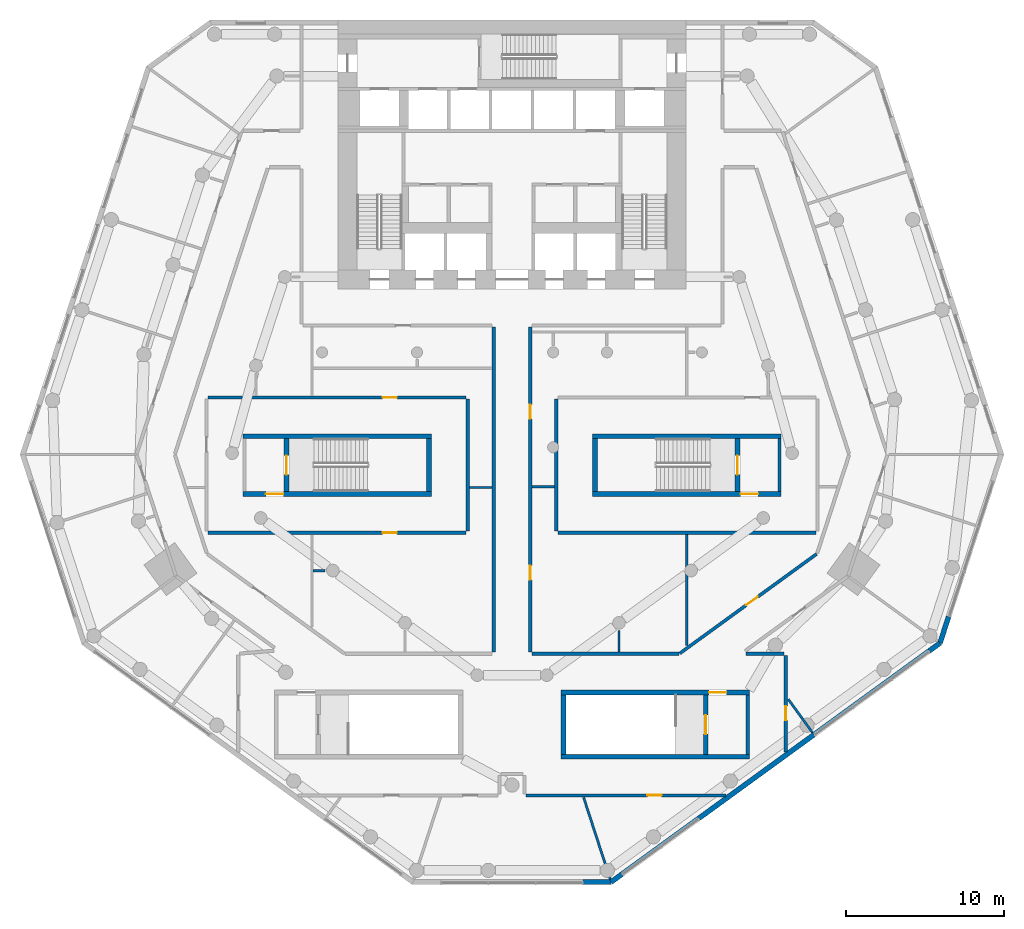
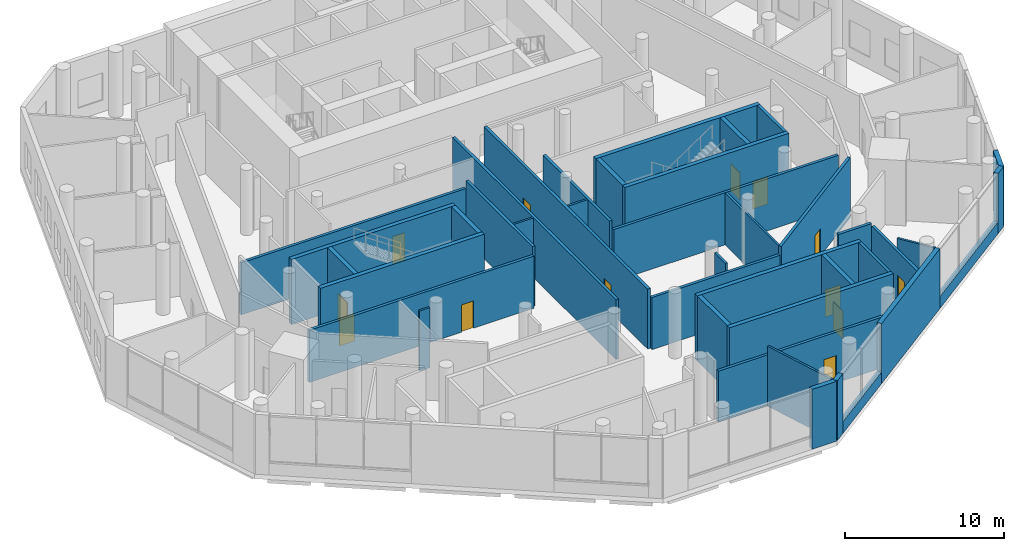
# One storey, part 8 of 15: 40 walls, 13 doors, 13 openings.
"""IFC4 building model written with IfcOpenShell, lengths in metres."""

from ifc_helpers import new_model, si_unit, direction, frame, frame_2d, origin, place, context, subcontext, project, spatial, rectangle, extrude, material, layer, layer_set, type_object, element, fill, save


model = new_model("IFC4")

# Units and contexts
model_context = context("Model", 3, precision=1e-05, world=origin(), true_north=direction((0.0, 1.0)))
body_context = subcontext(model_context, "Body", "Model", "MODEL_VIEW")
ifc_project = project(units=[si_unit("LENGTHUNIT", "METRE"), si_unit("AREAUNIT", "SQUARE_METRE"), si_unit("VOLUMEUNIT", "CUBIC_METRE"), si_unit("PLANEANGLEUNIT", "RADIAN"), si_unit("MASSUNIT", "GRAM", prefix="KILO")], contexts=[model_context])

# Site, building, storey
site_placement = place(None, origin())
site = spatial("IfcSite", under=ifc_project, at=site_placement, CompositionType="ELEMENT")
building_placement = place(site_placement, origin())
building = spatial("IfcBuilding", under=site, at=building_placement, Name="White Candle Pilgrim Tower", CompositionType="ELEMENT")
storey_placement = place(building_placement, frame((0.0, 0.0, 34.0)))
storey = spatial("IfcBuildingStorey", under=building, at=storey_placement, Name="L05", CompositionType="ELEMENT", Elevation=34.0)

# Walls
ifc_material_1 = material(Name="Concrete C70/85", Category="concrete")
ifc_layer_1 = layer(ifc_material_1, 0.199951171875)
ifc_layer_set_1 = layer_set([ifc_layer_1], Name="Core wall 200 mm Concrete C70/85")
wall_type_1 = type_object("IfcWallType", Name="Core wall 200 mm Concrete C70/85", PredefinedType="SHEAR", material=ifc_layer_set_1)
wall_1_placement = place(storey_placement, frame((84.89990234375, 41.60009765625, 0.0), z_axis=(0.0, 0.0, 1.0), x_axis=(0.0, 1.0, 0.0)))
element("IfcWall", 1, at=wall_1_placement, inside=storey, type_object=wall_type_1, Name="WL-L05-C08", PredefinedType="SHEAR", context=body_context, shape_type="SweptSolid", body=[
    extrude(rectangle(XDim=3.75, YDim=0.199951171875, at=frame_2d((1.875, 0.0))), origin(), (0.0, 0.0, 1.0), 5.0),
])
wall_2_placement = place(storey_placement, frame((86.89990234375, 58.199951171875, 0.0), z_axis=(0.0, 0.0, 1.0), x_axis=(0.0, 1.0, 0.0)))
element("IfcWall", 2, at=wall_2_placement, inside=storey, type_object=wall_type_1, Name="WL-L05-C18", PredefinedType="SHEAR", context=body_context, shape_type="SweptSolid", body=[
    extrude(rectangle(XDim=3.35009765625, YDim=0.199951171875, at=frame_2d((1.675048828125, 0.0))), origin(), (0.0, 0.0, 1.0), 5.0),
])
ifc_material_2 = material(Name="Gypsum board on steel studs", Category="steel")
ifc_layer_2 = layer(ifc_material_2, 0.199951171875)
ifc_layer_set_2 = layer_set([ifc_layer_2], Name="Corridor wall 200 mm EI 45")
wall_type_2 = type_object("IfcWallType", Name="Corridor wall 200 mm EI 45", PredefinedType="PARTITIONING", material=ifc_layer_set_2)
wall_3_placement = place(storey_placement, frame((84.794921875, 47.949951171875, 0.0), z_axis=(0.0, 0.0, 1.0), x_axis=(1.0, 0.0, 0.0)))
element("IfcWall", 3, at=wall_3_placement, inside=storey, type_object=wall_type_2, Name="WL-L05-P013", PredefinedType="PARTITIONING", context=body_context, shape_type="SweptSolid", body=[
    extrude(rectangle(XDim=2.405029296875, YDim=0.199951171875, at=frame_2d((1.20263671875, 0.0))), origin(), (0.0, 0.0, 1.0), 4.10009765625),
])

# Wall, opening, door
wall_4_placement = place(storey_placement, frame((87.300048828125, 47.85009765625, 0.0), z_axis=(0.0, 0.0, 1.0), x_axis=(0.0, -1.0, 0.0)))
wall_4 = element("IfcWall", 4, at=wall_4_placement, inside=storey, type_object=wall_type_2, Name="WL-L05-P014", PredefinedType="PARTITIONING", context=body_context, shape_type="SweptSolid", body=[
    extrude(rectangle(XDim=6.11328125, YDim=0.199951171875, at=frame_2d((3.056640625, 0.0))), origin(), (0.0, 0.0, 1.0), 3.89990234375),
])
opening_1_placement = place(wall_4_placement, frame((3.21044921875, 0.0, 0.0)))
opening_1 = element("IfcOpeningElement", 5, at=opening_1_placement, cuts=wall_4, Name="Opening L05-112", PredefinedType="OPENING", context=body_context, shape_type="SweptSolid", body=[
    extrude(rectangle(XDim=0.89990234375, YDim=2.10009765625, at=frame_2d((0.449951171875, 1.050048828125))), frame((0.0, 0.10986328125, 0.0), z_axis=(0.0, -1.0, 0.0), x_axis=(1.0, 0.0, 0.0)), (0.0, 0.0, 1.0), 0.219970703125),
])
ifc_material_3 = material(Name="Steel door leaf", Category="steel")
door_type_1 = type_object("IfcDoorType", Name="Fire door 900 x 2100 EI 30", OperationType="NOTDEFINED", PredefinedType="DOOR", material=ifc_material_3)
door_1_placement = place(opening_1_placement, origin())
door_1 = element("IfcDoor", 6, at=door_1_placement, inside=storey, type_object=door_type_1, Name="Door L05-112", OperationType="SINGLE_SWING_RIGHT", OverallHeight=2.10009765625, OverallWidth=0.89990234375, PredefinedType="DOOR", context=body_context, shape_type="SweptSolid", body=[
    extrude(rectangle(XDim=0.89990234375, YDim=2.10009765625, at=frame_2d((0.449951171875, 1.050048828125))), frame((0.0, 0.02490234375, 0.0), z_axis=(0.0, -1.0, 0.0), x_axis=(1.0, 0.0, 0.0)), (0.0, 0.0, 1.0), 0.050048828125),
])
fill(opening_1, door_1)

wall_5_placement = place(storey_placement, frame((83.533203125, 39.0, 0.0), z_axis=(0.0, 0.0, 1.0), x_axis=(-1.0, 0.0, 0.0)))
wall_5 = element("IfcWall", 7, at=wall_5_placement, inside=storey, type_object=wall_type_2, Name="WL-L05-P015", PredefinedType="PARTITIONING", context=body_context, shape_type="SweptSolid", body=[
    extrude(rectangle(XDim=12.63330078125, YDim=0.199951171875, at=frame_2d((6.316650390625, 0.0))), origin(), (0.0, 0.0, 1.0), 3.89990234375),
])
opening_2_placement = place(wall_5_placement, frame((4.074462890625, 0.0, 0.0)))
opening_2 = element("IfcOpeningElement", 8, at=opening_2_placement, cuts=wall_5, Name="Opening L05-111", PredefinedType="OPENING", context=body_context, shape_type="SweptSolid", body=[
    extrude(rectangle(XDim=0.89990234375, YDim=2.10009765625, at=frame_2d((0.449951171875, 1.050048828125))), frame((0.0, 0.10986328125, 0.0), z_axis=(0.0, -1.0, 0.0), x_axis=(1.0, 0.0, 0.0)), (0.0, 0.0, 1.0), 0.219970703125),
])
door_2_placement = place(opening_2_placement, origin())
door_2 = element("IfcDoor", 9, at=door_2_placement, inside=storey, type_object=door_type_1, Name="Door L05-111", OperationType="SINGLE_SWING_LEFT", OverallHeight=2.10009765625, OverallWidth=0.89990234375, PredefinedType="DOOR", context=body_context, shape_type="SweptSolid", body=[
    extrude(rectangle(XDim=0.89990234375, YDim=2.10009765625, at=frame_2d((0.449951171875, 1.050048828125))), frame((0.0, 0.02490234375, 0.0), z_axis=(0.0, -1.0, 0.0), x_axis=(1.0, 0.0, 0.0)), (0.0, 0.0, 1.0), 0.050048828125),
])
fill(opening_2, door_2)

# Wall, openings, doors
wall_6_placement = place(storey_placement, frame((71.14990234375, 68.60009765625, 0.0), z_axis=(0.0, 0.0, 1.0), x_axis=(0.0, -1.0, 0.0)))
wall_6 = element("IfcWall", 10, at=wall_6_placement, inside=storey, type_object=wall_type_2, Name="WL-L05-P025", PredefinedType="PARTITIONING", context=body_context, shape_type="SweptSolid", body=[
    extrude(rectangle(XDim=20.550048828125, YDim=0.199951171875, at=frame_2d((10.27490234375, 0.0))), origin(), (0.0, 0.0, 1.0), 4.60009765625),
])
opening_3_placement = place(wall_6_placement, frame((15.077880859375, 0.0, 0.0)))
opening_3 = element("IfcOpeningElement", 11, at=opening_3_placement, cuts=wall_6, Name="Opening L05-124", PredefinedType="OPENING", context=body_context, shape_type="SweptSolid", body=[
    extrude(rectangle(XDim=0.89990234375, YDim=2.10009765625, at=frame_2d((0.449951171875, 1.050048828125))), frame((0.0, 0.10986328125, 0.0), z_axis=(0.0, -1.0, 0.0), x_axis=(1.0, 0.0, 0.0)), (0.0, 0.0, 1.0), 0.219970703125),
])
opening_4_placement = place(wall_6_placement, frame((4.91064453125, 0.0, 0.0)))
opening_4 = element("IfcOpeningElement", 12, at=opening_4_placement, cuts=wall_6, Name="Opening L05-125", PredefinedType="OPENING", context=body_context, shape_type="SweptSolid", body=[
    extrude(rectangle(XDim=0.89990234375, YDim=2.10009765625, at=frame_2d((0.449951171875, 1.050048828125))), frame((0.0, 0.10986328125, 0.0), z_axis=(0.0, -1.0, 0.0), x_axis=(1.0, 0.0, 0.0)), (0.0, 0.0, 1.0), 0.219970703125),
])
door_3_placement = place(opening_3_placement, origin())
door_3 = element("IfcDoor", 13, at=door_3_placement, inside=storey, type_object=door_type_1, Name="Door L05-124", OperationType="SINGLE_SWING_RIGHT", OverallHeight=2.10009765625, OverallWidth=0.89990234375, PredefinedType="DOOR", context=body_context, shape_type="SweptSolid", body=[
    extrude(rectangle(XDim=0.89990234375, YDim=2.10009765625, at=frame_2d((0.449951171875, 1.050048828125))), frame((0.0, 0.02490234375, 0.0), z_axis=(0.0, -1.0, 0.0), x_axis=(1.0, 0.0, 0.0)), (0.0, 0.0, 1.0), 0.050048828125),
])
fill(opening_3, door_3)
door_4_placement = place(opening_4_placement, origin())
door_4 = element("IfcDoor", 14, at=door_4_placement, inside=storey, type_object=door_type_1, Name="Door L05-125", OperationType="SINGLE_SWING_LEFT", OverallHeight=2.10009765625, OverallWidth=0.89990234375, PredefinedType="DOOR", context=body_context, shape_type="SweptSolid", body=[
    extrude(rectangle(XDim=0.89990234375, YDim=2.10009765625, at=frame_2d((0.449951171875, 1.050048828125))), frame((0.0, 0.02490234375, 0.0), z_axis=(0.0, -1.0, 0.0), x_axis=(1.0, 0.0, 0.0)), (0.0, 0.0, 1.0), 0.050048828125),
])
fill(opening_4, door_4)

# Wall
wall_7_placement = place(storey_placement, frame((71.25, 47.949951171875, 0.0), z_axis=(0.0, 0.0, 1.0), x_axis=(1.0, 0.0, 0.0)))
element("IfcWall", 15, at=wall_7_placement, inside=storey, type_object=wall_type_2, Name="WL-L05-P026", PredefinedType="PARTITIONING", context=body_context, shape_type="SweptSolid", body=[
    extrude(rectangle(XDim=9.29150390625, YDim=0.199951171875, at=frame_2d((4.645751953125, 0.0))), origin(), (0.0, 0.0, 1.0), 4.0),
])

# Wall, opening, door
wall_8_placement = place(storey_placement, frame((80.600341796875, 47.968994140625, 0.0), z_axis=(0.0, 0.0, 1.0), x_axis=(0.809010498572, 0.587794192894, 0.0)))
wall_8 = element("IfcWall", 16, at=wall_8_placement, inside=storey, type_object=wall_type_2, Name="WL-L05-P027", PredefinedType="PARTITIONING", context=body_context, shape_type="SweptSolid", body=[
    extrude(rectangle(XDim=10.69189453125, YDim=0.199951171875, at=frame_2d((5.345947265625, 0.0))), origin(), (0.0, 0.0, 1.0), 4.60009765625),
])
opening_5_placement = place(wall_8_placement, frame((5.192138671875, 0.0, 0.0)))
opening_5 = element("IfcOpeningElement", 17, at=opening_5_placement, cuts=wall_8, Name="Opening L05-126", PredefinedType="OPENING", context=body_context, shape_type="SweptSolid", body=[
    extrude(rectangle(XDim=0.89990234375, YDim=2.10009765625, at=frame_2d((0.449951171875, 1.050048828125))), frame((0.0, 0.10986328125, 0.0), z_axis=(0.0, -1.0, 0.0), x_axis=(1.0, 0.0, 0.0)), (0.0, 0.0, 1.0), 0.219970703125),
])
door_5_placement = place(opening_5_placement, origin())
door_5 = element("IfcDoor", 18, at=door_5_placement, inside=storey, type_object=door_type_1, Name="Door L05-126", OperationType="SINGLE_SWING_RIGHT", OverallHeight=2.10009765625, OverallWidth=0.89990234375, PredefinedType="DOOR", context=body_context, shape_type="SweptSolid", body=[
    extrude(rectangle(XDim=0.89990234375, YDim=2.10009765625, at=frame_2d((0.449951171875, 1.050048828125))), frame((0.0, 0.02490234375, 0.0), z_axis=(0.0, -1.0, 0.0), x_axis=(1.0, 0.0, 0.0)), (0.0, 0.0, 1.0), 0.050048828125),
])
fill(opening_5, door_5)

# Walls
wall_9_placement = place(storey_placement, frame((68.85009765625, 48.050048828125, 0.0), z_axis=(0.0, 0.0, 1.0), x_axis=(0.0, 1.0, 0.0)))
element("IfcWall", 19, at=wall_9_placement, inside=storey, type_object=wall_type_2, Name="WL-L05-P035", PredefinedType="PARTITIONING", context=body_context, shape_type="SweptSolid", body=[
    extrude(rectangle(XDim=20.550048828125, YDim=0.199951171875, at=frame_2d((10.27490234375, 0.0))), origin(), (0.0, 0.0, 1.0), 4.60009765625),
])
wall_10_placement = place(storey_placement, frame((89.199951171875, 55.60009765625, 0.0), z_axis=(0.0, 0.0, 1.0), x_axis=(-1.0, 0.0, 0.0)))
element("IfcWall", 20, at=wall_10_placement, inside=storey, type_object=wall_type_2, Name="WL-L05-P038", PredefinedType="PARTITIONING", context=body_context, shape_type="SweptSolid", body=[
    extrude(rectangle(XDim=16.300048828125, YDim=0.199951171875, at=frame_2d((8.14990234375, 0.0))), origin(), (0.0, 0.0, 1.0), 4.0),
])
for number, where, z_axis, x_axis, name in (
    (21, (72.800048828125, 55.699951171875, 0.0), (0.0, 0.0, 1.0), (0.0, 1.0, 0.0), "WL-L05-P039"),
    (22, (67.199951171875, 64.050048828125, 0.0), (0.0, 0.0, 1.0), (0.0, -1.0, 0.0), "WL-L05-P040"),
):
    element("IfcWall", number, at=place(storey_placement, frame(where, z_axis=z_axis, x_axis=x_axis)), inside=storey, type_object=wall_type_2, Name=name, PredefinedType="PARTITIONING", context=body_context, shape_type="SweptSolid", body=[
        extrude(rectangle(XDim=8.35009765625, YDim=0.199951171875, at=frame_2d((4.175048828125, 0.0))), origin(), (0.0, 0.0, 1.0), 4.60009765625),
    ])

# Wall, opening, door
wall_11_placement = place(storey_placement, frame((67.10009765625, 55.60009765625, 0.0), z_axis=(0.0, 0.0, 1.0), x_axis=(-1.0, 0.0, 0.0)))
wall_11 = element("IfcWall", 23, at=wall_11_placement, inside=storey, type_object=wall_type_2, Name="WL-L05-P041", PredefinedType="PARTITIONING", context=body_context, shape_type="SweptSolid", body=[
    extrude(rectangle(XDim=16.300048828125, YDim=0.199951171875, at=frame_2d((8.14990234375, 0.0))), origin(), (0.0, 0.0, 1.0), 4.0),
])
opening_6_placement = place(wall_11_placement, frame((4.36962890625, 0.0, 0.0)))
opening_6 = element("IfcOpeningElement", 24, at=opening_6_placement, cuts=wall_11, Name="Opening L05-121", PredefinedType="OPENING", context=body_context, shape_type="SweptSolid", body=[
    extrude(rectangle(XDim=0.89990234375, YDim=2.10009765625, at=frame_2d((0.449951171875, 1.050048828125))), frame((0.0, 0.10986328125, 0.0), z_axis=(0.0, -1.0, 0.0), x_axis=(1.0, 0.0, 0.0)), (0.0, 0.0, 1.0), 0.219970703125),
])
door_6_placement = place(opening_6_placement, origin())
door_6 = element("IfcDoor", 25, at=door_6_placement, inside=storey, type_object=door_type_1, Name="Door L05-121", OperationType="SINGLE_SWING_LEFT", OverallHeight=2.10009765625, OverallWidth=0.89990234375, PredefinedType="DOOR", context=body_context, shape_type="SweptSolid", body=[
    extrude(rectangle(XDim=0.89990234375, YDim=2.10009765625, at=frame_2d((0.449951171875, 1.050048828125))), frame((0.0, 0.02490234375, 0.0), z_axis=(0.0, -1.0, 0.0), x_axis=(1.0, 0.0, 0.0)), (0.0, 0.0, 1.0), 0.050048828125),
])
fill(opening_6, door_6)

wall_12_placement = place(storey_placement, frame((50.800048828125, 64.14990234375, 0.0), z_axis=(0.0, 0.0, 1.0), x_axis=(1.0, 0.0, 0.0)))
wall_12 = element("IfcWall", 26, at=wall_12_placement, inside=storey, type_object=wall_type_2, Name="WL-L05-P043", PredefinedType="PARTITIONING", context=body_context, shape_type="SweptSolid", body=[
    extrude(rectangle(XDim=16.300048828125, YDim=0.199951171875, at=frame_2d((8.14990234375, 0.0))), origin(), (0.0, 0.0, 1.0), 4.0),
])
opening_7_placement = place(wall_12_placement, frame((11.030517578125, 0.0, 0.0)))
opening_7 = element("IfcOpeningElement", 27, at=opening_7_placement, cuts=wall_12, Name="Opening L05-122", PredefinedType="OPENING", context=body_context, shape_type="SweptSolid", body=[
    extrude(rectangle(XDim=0.89990234375, YDim=2.10009765625, at=frame_2d((0.449951171875, 1.050048828125))), frame((0.0, 0.10986328125, 0.0), z_axis=(0.0, -1.0, 0.0), x_axis=(1.0, 0.0, 0.0)), (0.0, 0.0, 1.0), 0.219970703125),
])
door_7_placement = place(opening_7_placement, origin())
door_7 = element("IfcDoor", 28, at=door_7_placement, inside=storey, type_object=door_type_1, Name="Door L05-122", OperationType="SINGLE_SWING_RIGHT", OverallHeight=2.10009765625, OverallWidth=0.89990234375, PredefinedType="DOOR", context=body_context, shape_type="SweptSolid", body=[
    extrude(rectangle(XDim=0.89990234375, YDim=2.10009765625, at=frame_2d((0.449951171875, 1.050048828125))), frame((0.0, 0.02490234375, 0.0), z_axis=(0.0, -1.0, 0.0), x_axis=(1.0, 0.0, 0.0)), (0.0, 0.0, 1.0), 0.050048828125),
])
fill(opening_7, door_7)

# Walls
ifc_material_4 = material(Name="Precast concrete C40/50", Category="concrete")
ifc_layer_3 = layer(ifc_material_4, 0.320068359375)
ifc_layer_set_3 = layer_set([ifc_layer_3], Name="Facade wall EW3 precast concrete C40/50 and stone-faced podium wall")
wall_type_3 = type_object("IfcWallType", Name="Facade wall EW3 precast concrete C40/50 and stone-faced podium wall", PredefinedType="SOLIDWALL", material=ifc_layer_set_3)
wall_13_placement = place(storey_placement, frame((74.5, 33.52099609375, 0.0), z_axis=(0.0, 0.0, 1.0), x_axis=(1.0, 0.0, 0.0)))
element("IfcWall", 29, at=wall_13_placement, inside=storey, type_object=wall_type_3, Name="Facade wall L05 S chamfer", PredefinedType="SOLIDWALL", context=body_context, shape_type="SweptSolid", body=[
    extrude(rectangle(XDim=1.76416015625, YDim=0.320068359375, at=frame_2d((0.882080078125, 0.0))), origin(), (0.0, 0.0, 1.0), 4.60009765625),
])
wall_14_placement = place(storey_placement, frame((76.26416015625, 33.52099609375, 0.0), z_axis=(0.0, 0.0, 1.0), x_axis=(0.809034999426, 0.587760469668, 0.0)))
element("IfcWall", 30, at=wall_14_placement, inside=storey, type_object=wall_type_3, Name="Facade wall L05 SE", PredefinedType="SOLIDWALL", context=body_context, shape_type="SweptSolid", body=[
    extrude(rectangle(XDim=0.847412109375, YDim=0.320068359375, at=frame_2d((0.423828125, 0.0))), origin(), (0.0, 0.0, 1.0), 4.60009765625),
])
wall_15_placement = place(storey_placement, frame((76.94970703125, 34.01904296875, 0.0), z_axis=(0.0, 0.0, 1.0), x_axis=(0.809019288122, 0.587782095208, 0.0)))
element("IfcWall", 31, at=wall_15_placement, inside=storey, type_object=wall_type_3, Name="Sill wall L05 SE", PredefinedType="SOLIDWALL", context=body_context, shape_type="SweptSolid", body=[
    extrude(rectangle(XDim=5.999755859375, YDim=0.320068359375, at=frame_2d((3.0, 0.0))), origin(), (0.0, 0.0, 1.0), 0.89990234375),
])
wall_16_placement = place(storey_placement, frame((81.8037109375, 37.545654296875, 0.0), z_axis=(0.0, 0.0, 1.0), x_axis=(0.809022210299, 0.587778073121, 0.0)))
element("IfcWall", 32, at=wall_16_placement, inside=storey, type_object=wall_type_3, Name="Facade wall L05 SE", PredefinedType="SOLIDWALL", context=body_context, shape_type="SweptSolid", body=[
    extrude(rectangle(XDim=9.0, YDim=0.320068359375, at=frame_2d((4.5, 0.0))), origin(), (0.0, 0.0, 1.0), 4.60009765625),
])
wall_17_placement = place(storey_placement, frame((89.0849609375, 42.835693359375, 0.0), z_axis=(0.0, 0.0, 1.0), x_axis=(0.808999938455, 0.587808727036, 0.0)))
element("IfcWall", 33, at=wall_17_placement, inside=storey, type_object=wall_type_3, Name="Sill wall L05 SE", PredefinedType="SOLIDWALL", context=body_context, shape_type="SweptSolid", body=[
    extrude(rectangle(XDim=9.0, YDim=0.320068359375, at=frame_2d((4.5, 0.0))), origin(), (0.0, 0.0, 1.0), 0.89990234375),
])
wall_18_placement = place(storey_placement, frame((96.365966796875, 48.1259765625, 0.0), z_axis=(0.0, 0.0, 1.0), x_axis=(0.809172006105, 0.587571837766, 0.0)))
element("IfcWall", 34, at=wall_18_placement, inside=storey, type_object=wall_type_3, Name="Facade wall L05 SE", PredefinedType="SOLIDWALL", context=body_context, shape_type="SweptSolid", body=[
    extrude(rectangle(XDim=0.84716796875, YDim=0.320068359375, at=frame_2d((0.423583984375, 0.0))), origin(), (0.0, 0.0, 1.0), 4.60009765625),
])
wall_19_placement = place(storey_placement, frame((97.051513671875, 48.623779296875, 0.0), z_axis=(0.0, 0.0, 1.0), x_axis=(0.308995332064, 0.951063554534, 0.0)))
element("IfcWall", 35, at=wall_19_placement, inside=storey, type_object=wall_type_3, Name="Facade wall L05 E chamfer", PredefinedType="SOLIDWALL", context=body_context, shape_type="SweptSolid", body=[
    extrude(rectangle(XDim=1.764404296875, YDim=0.320068359375, at=frame_2d((0.88232421875, 0.0))), origin(), (0.0, 0.0, 1.0), 4.60009765625),
])
ifc_layer_4 = layer(ifc_material_2, 0.14990234375)
ifc_layer_set_4 = layer_set([ifc_layer_4], Name="Partition 150 mm EI 60")
wall_type_4 = type_object("IfcWallType", Name="Partition 150 mm EI 60", PredefinedType="PARTITIONING", material=ifc_layer_set_4)
wall_20_placement = place(storey_placement, frame((76.21240234375, 33.68115234375, 0.0), z_axis=(0.0, 0.0, 1.0), x_axis=(-0.309032514382, 0.951051473399, 0.0)))
element("IfcWall", 36, at=wall_20_placement, inside=storey, type_object=wall_type_4, Name="WL-L05-P048", PredefinedType="PARTITIONING", context=body_context, shape_type="SweptSolid", body=[
    extrude(rectangle(XDim=5.462890625, YDim=0.14990234375, at=frame_2d((2.7314453125, 0.0))), origin(), (0.0, 0.0, 1.0), 4.60009765625),
])
wall_21_placement = place(storey_placement, frame((88.99072265625, 42.96533203125, 0.0), z_axis=(0.0, 0.0, 1.0), x_axis=(-0.5877756855, 0.80902394497, 0.0)))
element("IfcWall", 37, at=wall_21_placement, inside=storey, type_object=wall_type_4, Name="WL-L05-P058", PredefinedType="PARTITIONING", context=body_context, shape_type="SweptSolid", body=[
    extrude(rectangle(XDim=2.60302734375, YDim=0.14990234375, at=frame_2d((1.301513671875, 0.0))), origin(), (0.0, 0.0, 1.0), 4.60009765625),
])
wall_22_placement = place(storey_placement, frame((67.300048828125, 58.4599609375, 0.0), z_axis=(0.0, 0.0, 1.0), x_axis=(1.0, 0.0, 0.0)))
element("IfcWall", 38, at=wall_22_placement, inside=storey, type_object=wall_type_4, Name="WL-L05-P065", PredefinedType="PARTITIONING", context=body_context, shape_type="SweptSolid", body=[
    extrude(rectangle(XDim=1.449951171875, YDim=0.14990234375, at=frame_2d((0.72509765625, 0.0))), origin(), (0.0, 0.0, 1.0), 4.60009765625),
])
wall_23_placement = place(storey_placement, frame((81.053466796875, 48.476318359375, 0.0), z_axis=(0.0, 0.0, 1.0), x_axis=(0.0, 1.0, 0.0)))
element("IfcWall", 39, at=wall_23_placement, inside=storey, type_object=wall_type_4, Name="WL-L05-P067", PredefinedType="PARTITIONING", context=body_context, shape_type="SweptSolid", body=[
    extrude(rectangle(XDim=7.023681640625, YDim=0.14990234375, at=frame_2d((3.51171875, 0.0))), origin(), (0.0, 0.0, 1.0), 4.0),
])
wall_24_placement = place(storey_placement, frame((71.25, 58.493896484375, 0.0), z_axis=(0.0, 0.0, 1.0), x_axis=(1.0, 0.0, 0.0)))
element("IfcWall", 40, at=wall_24_placement, inside=storey, type_object=wall_type_4, Name="WL-L05-P069", PredefinedType="PARTITIONING", context=body_context, shape_type="SweptSolid", body=[
    extrude(rectangle(XDim=1.449951171875, YDim=0.14990234375, at=frame_2d((0.72509765625, 0.0))), origin(), (0.0, 0.0, 1.0), 4.60009765625),
])
wall_25_placement = place(storey_placement, frame((58.18994140625, 53.207763671875, 0.0), z_axis=(0.0, 0.0, 1.0), x_axis=(-1.0, 0.0, 0.0)))
element("IfcWall", 41, at=wall_25_placement, inside=storey, type_object=wall_type_4, Name="WL-L05-P082", PredefinedType="PARTITIONING", context=body_context, shape_type="SweptSolid", body=[
    extrude(rectangle(XDim=0.754150390625, YDim=0.14990234375, at=frame_2d((0.376953125, 0.0))), origin(), (0.0, 0.0, 1.0), 4.60009765625),
])
wall_26_placement = place(storey_placement, frame((76.76220703125, 49.409912109375, 0.0), z_axis=(0.0, 0.0, 1.0), x_axis=(0.0, -1.0, 0.0)))
element("IfcWall", 42, at=wall_26_placement, inside=storey, type_object=wall_type_4, Name="WL-L05-P084", PredefinedType="PARTITIONING", context=body_context, shape_type="SweptSolid", body=[
    extrude(rectangle(XDim=1.35986328125, YDim=0.14990234375, at=frame_2d((0.679931640625, 0.0))), origin(), (0.0, 0.0, 1.0), 4.60009765625),
])
ifc_layer_5 = layer(ifc_material_1, 0.300048828125)
ifc_layer_set_5 = layer_set([ifc_layer_5], Name="Stair shaft wall 300 mm Concrete C70/85")
wall_type_5 = type_object("IfcWallType", Name="Stair shaft wall 300 mm Concrete C70/85", PredefinedType="SHEAR", material=ifc_layer_set_5)
wall_27_placement = place(storey_placement, frame((73.10009765625, 41.449951171875, 0.0), z_axis=(0.0, 0.0, 1.0), x_axis=(1.0, 0.0, 0.0)))
element("IfcWall", 43, at=wall_27_placement, inside=storey, type_object=wall_type_5, Name="WL-L05-C02", PredefinedType="SHEAR", context=body_context, shape_type="SweptSolid", body=[
    extrude(rectangle(XDim=11.89990234375, YDim=0.300048828125, at=frame_2d((5.949951171875, 0.0))), origin(), (0.0, 0.0, 1.0), 5.0),
])
wall_28_placement = place(storey_placement, frame((73.25, 41.60009765625, 0.0), z_axis=(0.0, 0.0, 1.0), x_axis=(0.0, 1.0, 0.0)))
element("IfcWall", 44, at=wall_28_placement, inside=storey, type_object=wall_type_5, Name="WL-L05-C06", PredefinedType="SHEAR", context=body_context, shape_type="SweptSolid", body=[
    extrude(rectangle(XDim=3.75, YDim=0.300048828125, at=frame_2d((1.875, 0.0))), origin(), (0.0, 0.0, 1.0), 5.0),
])

# Wall, opening, door
wall_29_placement = place(storey_placement, frame((82.25, 41.60009765625, 0.0), z_axis=(0.0, 0.0, 1.0), x_axis=(0.0, 1.0, 0.0)))
wall_29 = element("IfcWall", 45, at=wall_29_placement, inside=storey, type_object=wall_type_5, Name="WL-L05-C07", PredefinedType="SHEAR", context=body_context, shape_type="SweptSolid", body=[
    extrude(rectangle(XDim=3.75, YDim=0.300048828125, at=frame_2d((1.875, 0.0))), origin(), (0.0, 0.0, 1.0), 5.0),
])
opening_8_placement = place(wall_29_placement, frame((1.27490234375, 0.0, 0.0)))
opening_8 = element("IfcOpeningElement", 46, at=opening_8_placement, cuts=wall_29, Name="Opening L05-014", PredefinedType="OPENING", context=body_context, shape_type="SweptSolid", body=[
    extrude(rectangle(XDim=1.199951171875, YDim=2.10009765625, at=frame_2d((0.60009765625, 1.050048828125))), frame((0.0, 0.159912109375, 0.0), z_axis=(0.0, -1.0, 0.0), x_axis=(1.0, 0.0, 0.0)), (0.0, 0.0, 1.0), 0.320068359375),
])
door_type_2 = type_object("IfcDoorType", Name="Fire door 1200 x 2100 EI 60", OperationType="NOTDEFINED", PredefinedType="DOOR", material=ifc_material_3)
door_8_placement = place(opening_8_placement, origin())
door_8 = element("IfcDoor", 47, at=door_8_placement, inside=storey, type_object=door_type_2, Name="Door L05-014", OperationType="SINGLE_SWING_RIGHT", OverallHeight=2.10009765625, OverallWidth=1.199951171875, PredefinedType="DOOR", context=body_context, shape_type="SweptSolid", body=[
    extrude(rectangle(XDim=1.199951171875, YDim=2.10009765625, at=frame_2d((0.60009765625, 1.050048828125))), frame((0.0, 0.02490234375, 0.0), z_axis=(0.0, -1.0, 0.0), x_axis=(1.0, 0.0, 0.0)), (0.0, 0.0, 1.0), 0.050048828125),
])
fill(opening_8, door_8)

wall_30_placement = place(storey_placement, frame((73.10009765625, 45.5, 0.0), z_axis=(0.0, 0.0, 1.0), x_axis=(1.0, 0.0, 0.0)))
wall_30 = element("IfcWall", 48, at=wall_30_placement, inside=storey, type_object=wall_type_5, Name="WL-L05-C10", PredefinedType="SHEAR", context=body_context, shape_type="SweptSolid", body=[
    extrude(rectangle(XDim=11.89990234375, YDim=0.300048828125, at=frame_2d((5.949951171875, 0.0))), origin(), (0.0, 0.0, 1.0), 5.0),
])
opening_9_placement = place(wall_30_placement, frame((9.35009765625, 0.0, 0.0)))
opening_9 = element("IfcOpeningElement", 49, at=opening_9_placement, cuts=wall_30, Name="Opening L05-013", PredefinedType="OPENING", context=body_context, shape_type="SweptSolid", body=[
    extrude(rectangle(XDim=1.10009765625, YDim=2.10009765625, at=frame_2d((0.550048828125, 1.050048828125))), frame((0.0, 0.159912109375, 0.0), z_axis=(0.0, -1.0, 0.0), x_axis=(1.0, 0.0, 0.0)), (0.0, 0.0, 1.0), 0.320068359375),
])
door_type_3 = type_object("IfcDoorType", Name="Fire door 1100 x 2100 EI 60", OperationType="NOTDEFINED", PredefinedType="DOOR", material=ifc_material_3)
door_9_placement = place(opening_9_placement, frame((1.10009765625, 0.0, 0.0), z_axis=(0.0, 0.0, 1.0), x_axis=(-1.0, 0.0, 0.0)))
door_9 = element("IfcDoor", 50, at=door_9_placement, inside=storey, type_object=door_type_3, Name="Door L05-013", OperationType="SINGLE_SWING_RIGHT", OverallHeight=2.10009765625, OverallWidth=1.10009765625, PredefinedType="DOOR", context=body_context, shape_type="SweptSolid", body=[
    extrude(rectangle(XDim=1.10009765625, YDim=2.10009765625, at=frame_2d((0.550048828125, 1.050048828125))), frame((0.0, 0.02490234375, 0.0), z_axis=(0.0, -1.0, 0.0), x_axis=(1.0, 0.0, 0.0)), (0.0, 0.0, 1.0), 0.050048828125),
])
fill(opening_9, door_9)

wall_31_placement = place(storey_placement, frame((53.0, 58.050048828125, 0.0), z_axis=(0.0, 0.0, 1.0), x_axis=(1.0, 0.0, 0.0)))
wall_31 = element("IfcWall", 51, at=wall_31_placement, inside=storey, type_object=wall_type_5, Name="WL-L05-C11", PredefinedType="SHEAR", context=body_context, shape_type="SweptSolid", body=[
    extrude(rectangle(XDim=11.89990234375, YDim=0.300048828125, at=frame_2d((5.949951171875, 0.0))), origin(), (0.0, 0.0, 1.0), 5.0),
])
opening_10_placement = place(wall_31_placement, frame((1.449951171875, 0.0, 0.0)))
opening_10 = element("IfcOpeningElement", 52, at=opening_10_placement, cuts=wall_31, Name="Opening L05-007", PredefinedType="OPENING", context=body_context, shape_type="SweptSolid", body=[
    extrude(rectangle(XDim=1.10009765625, YDim=2.10009765625, at=frame_2d((0.550048828125, 1.050048828125))), frame((0.0, 0.159912109375, 0.0), z_axis=(0.0, -1.0, 0.0), x_axis=(1.0, 0.0, 0.0)), (0.0, 0.0, 1.0), 0.320068359375),
])
door_10_placement = place(opening_10_placement, origin())
door_10 = element("IfcDoor", 53, at=door_10_placement, inside=storey, type_object=door_type_3, Name="Door L05-007", OperationType="SINGLE_SWING_LEFT", OverallHeight=2.10009765625, OverallWidth=1.10009765625, PredefinedType="DOOR", context=body_context, shape_type="SweptSolid", body=[
    extrude(rectangle(XDim=1.10009765625, YDim=2.10009765625, at=frame_2d((0.550048828125, 1.050048828125))), frame((0.0, 0.02490234375, 0.0), z_axis=(0.0, -1.0, 0.0), x_axis=(1.0, 0.0, 0.0)), (0.0, 0.0, 1.0), 0.050048828125),
])
fill(opening_10, door_10)

wall_32_placement = place(storey_placement, frame((75.10009765625, 58.050048828125, 0.0), z_axis=(0.0, 0.0, 1.0), x_axis=(1.0, 0.0, 0.0)))
wall_32 = element("IfcWall", 54, at=wall_32_placement, inside=storey, type_object=wall_type_5, Name="WL-L05-C12", PredefinedType="SHEAR", context=body_context, shape_type="SweptSolid", body=[
    extrude(rectangle(XDim=11.89990234375, YDim=0.300048828125, at=frame_2d((5.949951171875, 0.0))), origin(), (0.0, 0.0, 1.0), 5.0),
])
opening_11_placement = place(wall_32_placement, frame((9.35009765625, 0.0, 0.0)))
opening_11 = element("IfcOpeningElement", 55, at=opening_11_placement, cuts=wall_32, Name="Opening L05-009", PredefinedType="OPENING", context=body_context, shape_type="SweptSolid", body=[
    extrude(rectangle(XDim=1.10009765625, YDim=2.10009765625, at=frame_2d((0.550048828125, 1.050048828125))), frame((0.0, 0.159912109375, 0.0), z_axis=(0.0, -1.0, 0.0), x_axis=(1.0, 0.0, 0.0)), (0.0, 0.0, 1.0), 0.320068359375),
])
door_11_placement = place(opening_11_placement, origin())
door_11 = element("IfcDoor", 56, at=door_11_placement, inside=storey, type_object=door_type_3, Name="Door L05-009", OperationType="SINGLE_SWING_LEFT", OverallHeight=2.10009765625, OverallWidth=1.10009765625, PredefinedType="DOOR", context=body_context, shape_type="SweptSolid", body=[
    extrude(rectangle(XDim=1.10009765625, YDim=2.10009765625, at=frame_2d((0.550048828125, 1.050048828125))), frame((0.0, 0.02490234375, 0.0), z_axis=(0.0, -1.0, 0.0), x_axis=(1.0, 0.0, 0.0)), (0.0, 0.0, 1.0), 0.050048828125),
])
fill(opening_11, door_11)

wall_33_placement = place(storey_placement, frame((55.75, 58.199951171875, 0.0), z_axis=(0.0, 0.0, 1.0), x_axis=(0.0, 1.0, 0.0)))
wall_33 = element("IfcWall", 57, at=wall_33_placement, inside=storey, type_object=wall_type_5, Name="WL-L05-C14", PredefinedType="SHEAR", context=body_context, shape_type="SweptSolid", body=[
    extrude(rectangle(XDim=3.35009765625, YDim=0.300048828125, at=frame_2d((1.675048828125, 0.0))), origin(), (0.0, 0.0, 1.0), 5.0),
])
opening_12_placement = place(wall_33_placement, frame((1.074951171875, 0.0, 0.0)))
opening_12 = element("IfcOpeningElement", 58, at=opening_12_placement, cuts=wall_33, Name="Opening L05-008", PredefinedType="OPENING", context=body_context, shape_type="SweptSolid", body=[
    extrude(rectangle(XDim=1.199951171875, YDim=2.10009765625, at=frame_2d((0.60009765625, 1.050048828125))), frame((0.0, 0.159912109375, 0.0), z_axis=(0.0, -1.0, 0.0), x_axis=(1.0, 0.0, 0.0)), (0.0, 0.0, 1.0), 0.320068359375),
])
door_12_placement = place(opening_12_placement, frame((1.199951171875, 0.0, 0.0), z_axis=(0.0, 0.0, 1.0), x_axis=(-1.0, 0.0, 0.0)))
door_12 = element("IfcDoor", 59, at=door_12_placement, inside=storey, type_object=door_type_2, Name="Door L05-008", OperationType="SINGLE_SWING_LEFT", OverallHeight=2.10009765625, OverallWidth=1.199951171875, PredefinedType="DOOR", context=body_context, shape_type="SweptSolid", body=[
    extrude(rectangle(XDim=1.199951171875, YDim=2.10009765625, at=frame_2d((0.60009765625, 1.050048828125))), frame((0.0, 0.02490234375, 0.0), z_axis=(0.0, -1.0, 0.0), x_axis=(1.0, 0.0, 0.0)), (0.0, 0.0, 1.0), 0.050048828125),
])
fill(opening_12, door_12)

# Walls
for number, where, z_axis, x_axis, name in (
    (60, (64.75, 58.199951171875, 0.0), (0.0, 0.0, 1.0), (0.0, 1.0, 0.0), "WL-L05-C15"),
    (61, (75.25, 58.199951171875, 0.0), (0.0, 0.0, 1.0), (0.0, 1.0, 0.0), "WL-L05-C16"),
):
    element("IfcWall", number, at=place(storey_placement, frame(where, z_axis=z_axis, x_axis=x_axis)), inside=storey, type_object=wall_type_5, Name=name, PredefinedType="SHEAR", context=body_context, shape_type="SweptSolid", body=[
        extrude(rectangle(XDim=3.35009765625, YDim=0.300048828125, at=frame_2d((1.675048828125, 0.0))), origin(), (0.0, 0.0, 1.0), 5.0),
    ])

# Wall, opening, door
wall_34_placement = place(storey_placement, frame((84.25, 58.199951171875, 0.0), z_axis=(0.0, 0.0, 1.0), x_axis=(0.0, 1.0, 0.0)))
wall_34 = element("IfcWall", 62, at=wall_34_placement, inside=storey, type_object=wall_type_5, Name="WL-L05-C17", PredefinedType="SHEAR", context=body_context, shape_type="SweptSolid", body=[
    extrude(rectangle(XDim=3.35009765625, YDim=0.300048828125, at=frame_2d((1.675048828125, 0.0))), origin(), (0.0, 0.0, 1.0), 5.0),
])
opening_13_placement = place(wall_34_placement, frame((1.074951171875, 0.0, 0.0)))
opening_13 = element("IfcOpeningElement", 63, at=opening_13_placement, cuts=wall_34, Name="Opening L05-010", PredefinedType="OPENING", context=body_context, shape_type="SweptSolid", body=[
    extrude(rectangle(XDim=1.199951171875, YDim=2.10009765625, at=frame_2d((0.60009765625, 1.050048828125))), frame((0.0, 0.159912109375, 0.0), z_axis=(0.0, -1.0, 0.0), x_axis=(1.0, 0.0, 0.0)), (0.0, 0.0, 1.0), 0.320068359375),
])
door_13_placement = place(opening_13_placement, origin())
door_13 = element("IfcDoor", 64, at=door_13_placement, inside=storey, type_object=door_type_2, Name="Door L05-010", OperationType="SINGLE_SWING_RIGHT", OverallHeight=2.10009765625, OverallWidth=1.199951171875, PredefinedType="DOOR", context=body_context, shape_type="SweptSolid", body=[
    extrude(rectangle(XDim=1.199951171875, YDim=2.10009765625, at=frame_2d((0.60009765625, 1.050048828125))), frame((0.0, 0.02490234375, 0.0), z_axis=(0.0, -1.0, 0.0), x_axis=(1.0, 0.0, 0.0)), (0.0, 0.0, 1.0), 0.050048828125),
])
fill(opening_13, door_13)

# Walls
for number, where, z_axis, x_axis, name in (
    (65, (53.0, 61.699951171875, 0.0), (0.0, 0.0, 1.0), (1.0, 0.0, 0.0), "WL-L05-C19"),
    (66, (75.10009765625, 61.699951171875, 0.0), (0.0, 0.0, 1.0), (1.0, 0.0, 0.0), "WL-L05-C20"),
):
    element("IfcWall", number, at=place(storey_placement, frame(where, z_axis=z_axis, x_axis=x_axis)), inside=storey, type_object=wall_type_5, Name=name, PredefinedType="SHEAR", context=body_context, shape_type="SweptSolid", body=[
        extrude(rectangle(XDim=11.89990234375, YDim=0.300048828125, at=frame_2d((5.949951171875, 0.0))), origin(), (0.0, 0.0, 1.0), 5.0),
    ])

save(model, "model.ifc")
